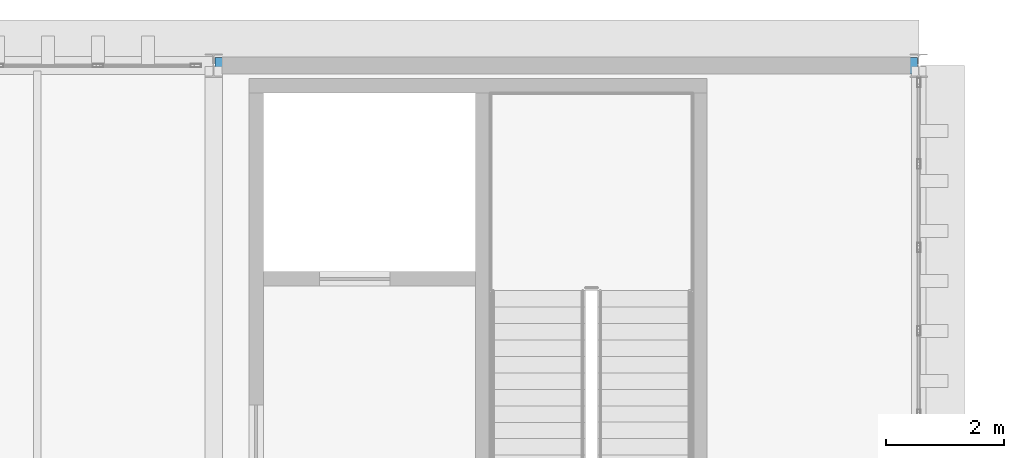
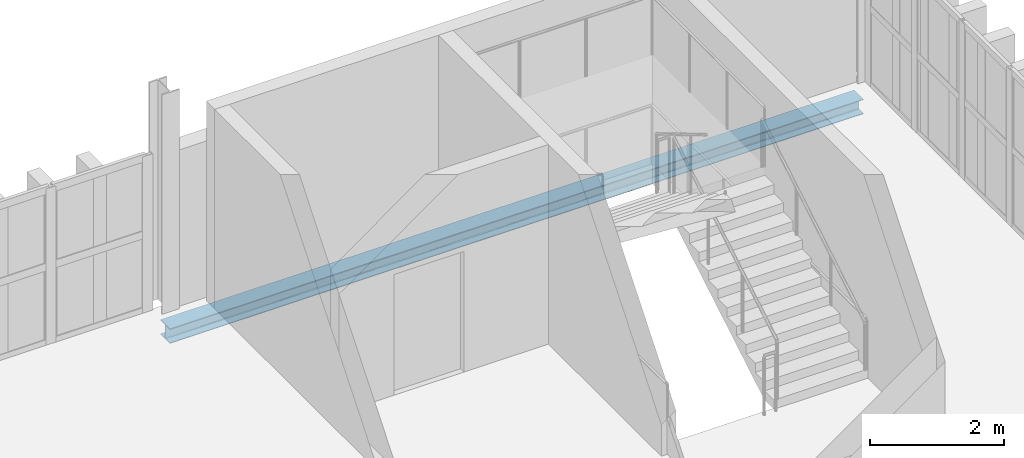
# One storey, part 74 of 102: 1 beam.
"""IFC4 building model written with IfcOpenShell, lengths in metres."""

from ifc_helpers import new_model, si_unit, direction, frame, origin, origin_2d, place, context, subcontext, project, spatial, i_section, extrude, material, material_profile, profile_set, type_object, element, save


model = new_model("IFC4")

# Units and contexts
model_context = context("Model", 3, precision=1e-05, world=origin(), true_north=direction((0.0, 1.0)))
body_context = subcontext(model_context, "Body", "Model", "MODEL_VIEW")
ifc_project = project(units=[si_unit("LENGTHUNIT", "METRE"), si_unit("AREAUNIT", "SQUARE_METRE"), si_unit("VOLUMEUNIT", "CUBIC_METRE"), si_unit("PLANEANGLEUNIT", "RADIAN"), si_unit("MASSUNIT", "GRAM", prefix="KILO")], contexts=[model_context])

# Site, building, storey
site_placement = place(None, origin())
site = spatial("IfcSite", under=ifc_project, at=site_placement, CompositionType="ELEMENT")
building_placement = place(site_placement, origin())
building = spatial("IfcBuilding", under=site, at=building_placement, Name="Barlavento Convention Centre", CompositionType="ELEMENT")
storey_placement = place(building_placement, frame((0.0, 0.0, 22.800048828125)))
storey = spatial("IfcBuildingStorey", under=building, at=storey_placement, Name="L04", CompositionType="ELEMENT", Elevation=22.800048828125)

# Beam
ifc_material = material(Name="Steel S355", Category="steel")
ifc_material_profile = material_profile(ifc_material, i_section(OverallWidth=0.280029296875, OverallDepth=0.27001953125, WebThickness=0.008056640625, FlangeThickness=0.012939453125, FilletRadius=0.02392578125, at=origin_2d()), Name="HEA 280")
ifc_profile_set = profile_set([ifc_material_profile], Name="Steel S355")
beam_type = type_object("IfcBeamType", Name="STR-BM-SPN-HEA280", PredefinedType="SPANDREL", material=ifc_profile_set)
beam_placement = place(storey_placement, frame((180.02001953125, 99.0, -0.4951171875), z_axis=(1.0, 0.0, 0.0), x_axis=(0.0, 1.0, 0.0)))
element("IfcBeam", 1, at=beam_placement, inside=storey, type_object=beam_type, Name="L04 primary girder SP03", PredefinedType="SPANDREL", context=body_context, shape_type="SweptSolid", body=[
    extrude(i_section(OverallWidth=0.280029296875, OverallDepth=0.27001953125, WebThickness=0.008056640625, FlangeThickness=0.012939453125, FilletRadius=0.02392578125, at=origin_2d()), origin(), (0.0, 0.0, 1.0), 11.9599609375),
])

save(model, "model.ifc")
